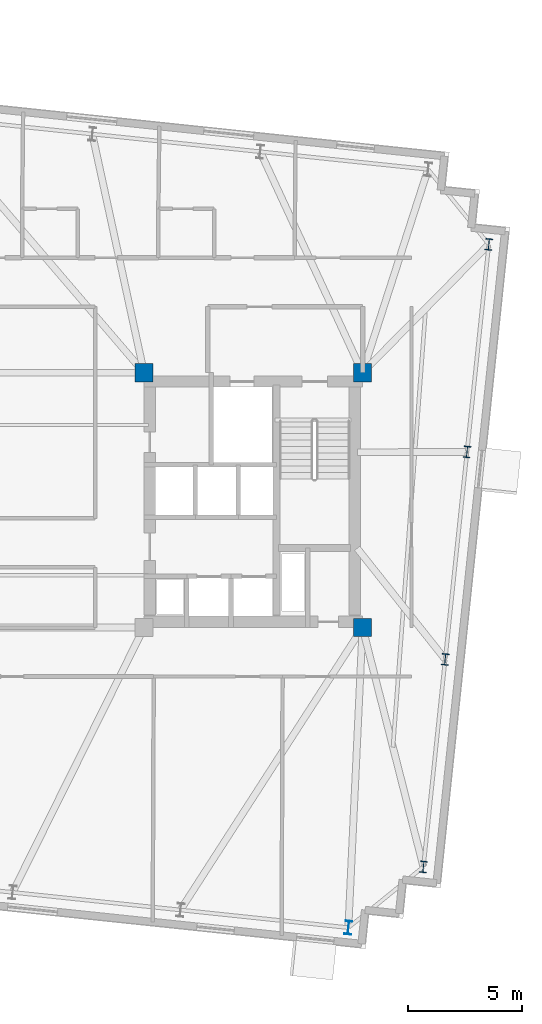
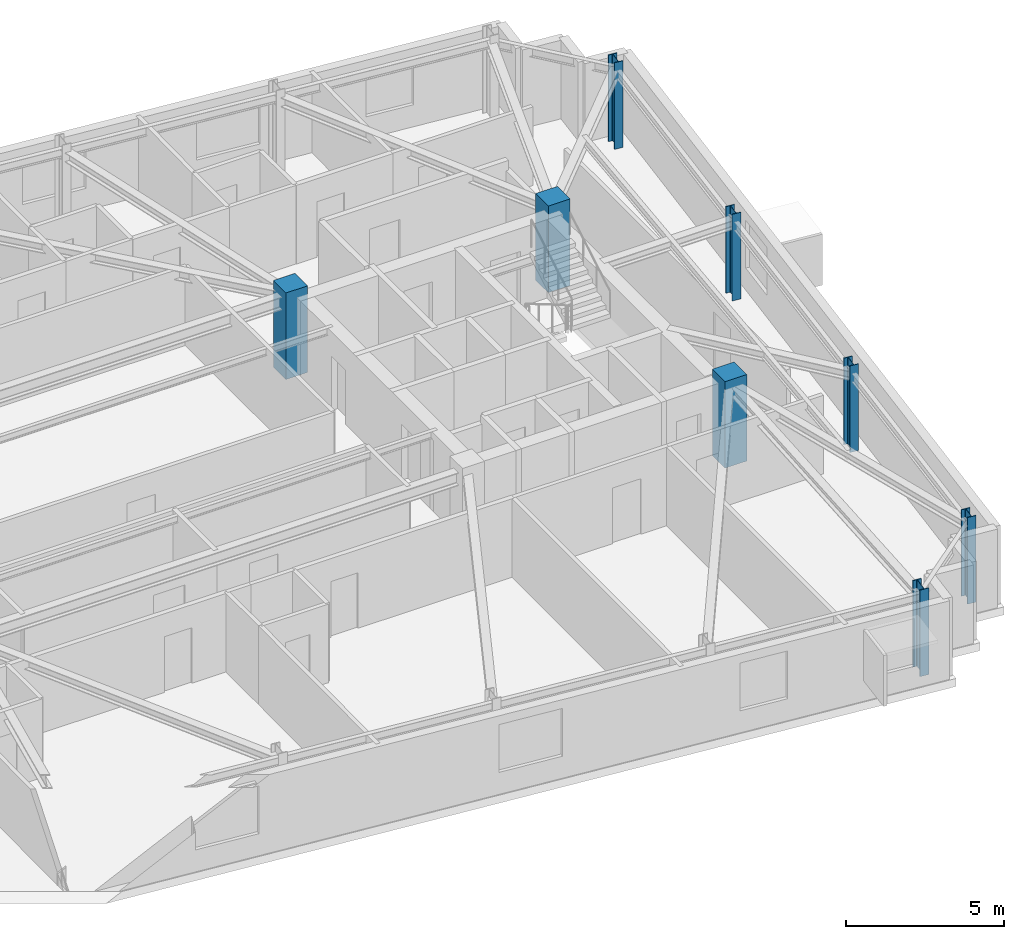
# One storey, part 2 of 13: 8 columns.
"""IFC4 building model written with IfcOpenShell, lengths in metres."""

from ifc_helpers import new_model, si_unit, direction, frame, origin, origin_2d, place, context, subcontext, project, spatial, rectangle, i_section, extrude, material, material_profile, profile_set, type_object, element, save


model = new_model("IFC4")

# Units and contexts
model_context = context("Model", 3, precision=1e-05, world=origin(), true_north=direction((0.0, 1.0)))
body_context = subcontext(model_context, "Body", "Model", "MODEL_VIEW")
ifc_project = project(units=[si_unit("LENGTHUNIT", "METRE"), si_unit("AREAUNIT", "SQUARE_METRE"), si_unit("VOLUMEUNIT", "CUBIC_METRE"), si_unit("PLANEANGLEUNIT", "RADIAN"), si_unit("MASSUNIT", "GRAM", prefix="KILO")], contexts=[model_context])

# Site, building, storey
site_placement = place(None, origin())
site = spatial("IfcSite", under=ifc_project, at=site_placement, CompositionType="ELEMENT")
building_placement = place(site_placement, origin())
building = spatial("IfcBuilding", under=site, at=building_placement, Name="Qobustan Lattice House", CompositionType="ELEMENT")
storey_placement = place(building_placement, frame((0.0, 0.0, 186.35009765625)))
storey = spatial("IfcBuildingStorey", under=building, at=storey_placement, Name="L52", CompositionType="ELEMENT", Elevation=186.35009765625)

# Columns
ifc_material_1 = material(Name="Concrete C50/60", Category="concrete")
ifc_material_profile_1 = material_profile(ifc_material_1, rectangle(XDim=0.800048828125, YDim=0.800048828125, at=origin_2d()), Name="RC800x800")
ifc_profile_set_1 = profile_set([ifc_material_profile_1], Name="Concrete C50/60")
column_type_1 = type_object("IfcColumnType", Name="COL-RC-800", PredefinedType="COLUMN", material=ifc_profile_set_1)
for number, where, z_axis, x_axis, name in (
    (1, (9.199951171875, 5.60009765625, 0.0), (0.0, 0.0, 1.0), (1.0, 0.0, 0.0), "L52 core mega-column CE-NW"),
    (2, (18.800048828125, -5.60009765625, 0.0), (0.0, 0.0, 1.0), (1.0, 0.0, 0.0), "L52 core mega-column CE-SE"),
    (3, (18.800048828125, 5.60009765625, 0.0), (0.0, 0.0, 1.0), (1.0, 0.0, 0.0), "L52 core mega-column CE-NE"),
):
    element("IfcColumn", number, at=place(storey_placement, frame(where, z_axis=z_axis, x_axis=x_axis)), inside=storey, type_object=column_type_1, Name=name, PredefinedType="COLUMN", context=body_context, shape_type="SweptSolid", body=[
        extrude(rectangle(XDim=0.800048828125, YDim=0.800048828125, at=origin_2d()), origin(), (0.0, 0.0, 1.0), 3.349853515625),
    ])
ifc_material_2 = material(Name="Steel S355", Category="steel")
ifc_material_profile_2 = material_profile(ifc_material_2, i_section(OverallWidth=0.300048828125, OverallDepth=0.5, WebThickness=0.014404296875, FlangeThickness=0.028076171875, FilletRadius=0.027099609375, at=origin_2d()), Name="HEB500")
ifc_profile_set_2 = profile_set([ifc_material_profile_2], Name="Steel S355")
column_type_2 = type_object("IfcColumnType", Name="COL-ST-HEB500", PredefinedType="COLUMN", material=ifc_profile_set_2)
for number, where, z_axis, x_axis, name in (
    (4, (21.474365234375, -16.114013671875, 0.0), (0.0, 0.0, 1.0), (0.994521895368, -0.104528463268, 0.0), "L52 B4 perimeter column E1"),
    (5, (22.4326171875, -6.99755859375, 0.0), (0.0, 0.0, 1.0), (0.994521895368, -0.104528463268, 0.0), "L52 B4 perimeter column E2"),
    (6, (23.390869140625, 2.118896484375, 0.0), (0.0, 0.0, 1.0), (0.994521895368, -0.104528463268, 0.0), "L52 B4 perimeter column E3"),
    (7, (24.348876953125, 11.2353515625, 0.0), (0.0, 0.0, 1.0), (0.994521895368, -0.104528463268, 0.0), "L52 B4 perimeter column E4"),
):
    element("IfcColumn", number, at=place(storey_placement, frame(where, z_axis=z_axis, x_axis=x_axis)), inside=storey, type_object=column_type_2, Name=name, PredefinedType="COLUMN", context=body_context, shape_type="SweptSolid", body=[
        extrude(i_section(OverallWidth=0.300048828125, OverallDepth=0.5, WebThickness=0.014404296875, FlangeThickness=0.028076171875, FilletRadius=0.027099609375, at=origin_2d()), origin(), (0.0, 0.0, 1.0), 3.349853515625),
    ])
ifc_material_3 = material(Name="Steel S355", Category="steel")
ifc_material_profile_3 = material_profile(ifc_material_3, i_section(OverallWidth=0.300048828125, OverallDepth=0.60009765625, WebThickness=0.015380859375, FlangeThickness=0.030029296875, FilletRadius=0.027099609375, at=origin_2d()), Name="HEB600")
ifc_profile_set_3 = profile_set([ifc_material_profile_3], Name="Steel S355")
column_type_3 = type_object("IfcColumnType", Name="COL-ST-HEB600", PredefinedType="COLUMN", material=ifc_profile_set_3)
column_placement = place(storey_placement, frame((18.17724609375, -18.783935546875, 0.0), z_axis=(0.0, 0.0, 1.0), x_axis=(0.994521895368, -0.104528463268, 0.0)))
element("IfcColumn", 8, at=column_placement, inside=storey, type_object=column_type_3, Name="L52 B4 perimeter column S7", PredefinedType="COLUMN", context=body_context, shape_type="SweptSolid", body=[
    extrude(i_section(OverallWidth=0.300048828125, OverallDepth=0.60009765625, WebThickness=0.015380859375, FlangeThickness=0.030029296875, FilletRadius=0.027099609375, at=origin_2d()), origin(), (0.0, 0.0, 1.0), 3.349853515625),
])

save(model, "model.ifc")
